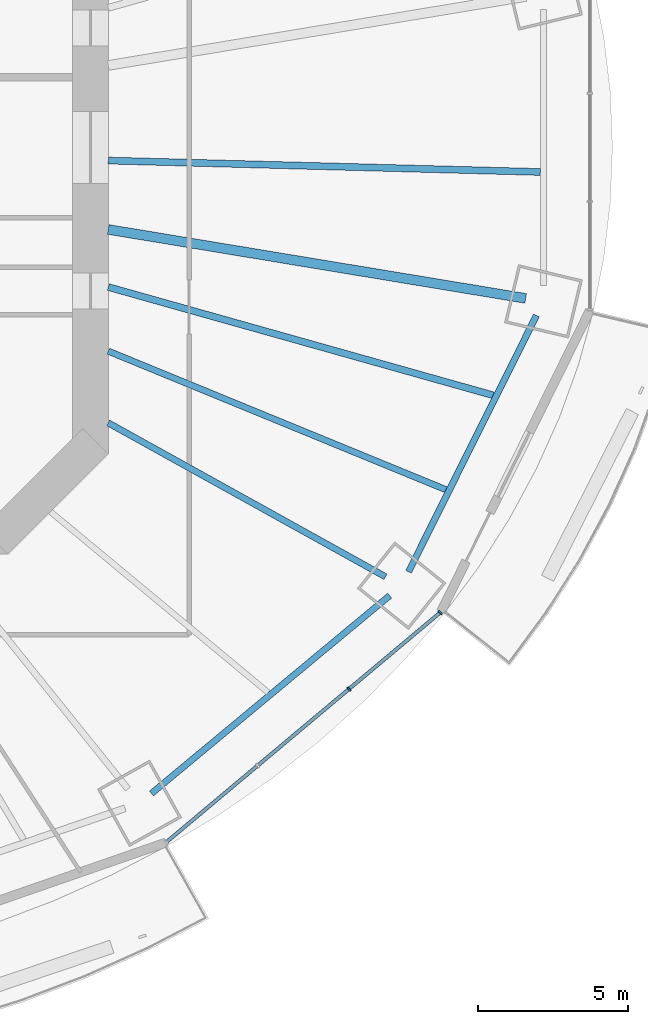
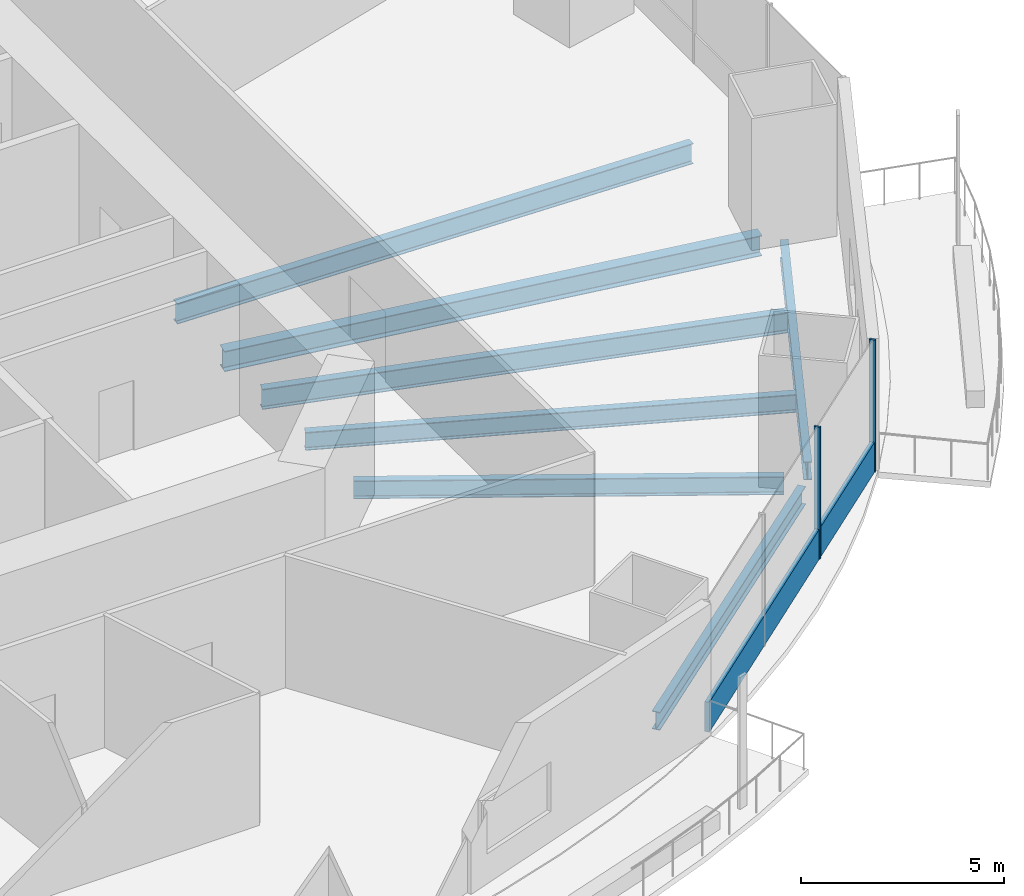
# One storey, part 5 of 20: 7 beams, 3 members, 1 element without a shape of its own.
"""IFC4 building model written with IfcOpenShell, lengths in metres."""

import ifcopenshell
import ifcopenshell.guid

model = None  # the IFC model being written
_history = None  # IfcOwnerHistory: only IFC2X3 demands one
_inside = {}  # id of a spatial element -> (the spatial element, [elements in it])
_under = {}  # id of a project, library or spatial element -> (it, [spatial elements below it])
_declared = {}  # id of a project -> (the project, [libraries it declares])
_typed = {}  # id of a type object -> (the type object, [elements of that type])
_made_of = {}  # id of a material, layer set ... -> (it, [elements and type objects made of it])


def new_model(schema):
    """Start an empty IFC model of exactly this schema.

    Asked for "IFC4X3", IfcOpenShell would pick the latest addendum, in which some entities
    have other attributes; the version numbers below select the first issue.
    IFC2X3 requires an IfcOwnerHistory on every rooted entity: one is made here for all.
    """
    global model, _history
    if schema == "IFC4X3":
        model = ifcopenshell.file(schema_version=(4, 3, 0, 0))
    else:
        model = ifcopenshell.file(schema=schema)
    _inside.clear()
    _under.clear()
    _declared.clear()
    _typed.clear()
    _made_of.clear()
    _history = None
    if model.schema == "IFC2X3":
        org = make("IfcOrganization", Name="unknown")
        user = make(
            "IfcPersonAndOrganization",
            ThePerson=make("IfcPerson", FamilyName="unknown"),
            TheOrganization=org,
        )
        app = make(
            "IfcApplication",
            ApplicationDeveloper=org,
            Version="unknown",
            ApplicationFullName="unknown",
            ApplicationIdentifier="unknown",
        )
        _history = make(
            "IfcOwnerHistory",
            OwningUser=user,
            OwningApplication=app,
            ChangeAction="ADDED",
            CreationDate=0,
        )
    return model


def make(cls, **values):
    """One entity of the class cls with the attributes given. An attribute that is None is left unset."""
    return model.create_entity(
        cls, **{name: value for name, value in values.items() if value is not None}
    )


def rooted(cls, **values):
    """An entity with a GlobalId (a new one), such as an element, a storey or a relation."""
    return make(cls, GlobalId=ifcopenshell.guid.new(), OwnerHistory=_history, **values)


def si_unit(unit_type, name, prefix=None):
    """IfcSIUnit, for example si_unit("LENGTHUNIT", "METRE", prefix="MILLI")."""
    return make("IfcSIUnit", UnitType=unit_type, Prefix=prefix, Name=name)


def assignment(units):
    """IfcUnitAssignment: the units of a project."""
    return None if units is None else make("IfcUnitAssignment", Units=units)


def point(xyz):
    """IfcCartesianPoint."""
    return None if xyz is None else make("IfcCartesianPoint", Coordinates=xyz)


def direction(xyz):
    """IfcDirection."""
    return None if xyz is None else make("IfcDirection", DirectionRatios=xyz)


def frame(location, z_axis=None, x_axis=None):
    """IfcAxis2Placement3D, a coordinate frame: its origin and axes. An axis left out is left unset."""
    return make(
        "IfcAxis2Placement3D",
        Location=point(location),
        Axis=direction(z_axis),
        RefDirection=direction(x_axis),
    )


def frame_2d(location, x_axis=None):
    """IfcAxis2Placement2D, a coordinate frame in the plane: its origin and x axis."""
    return make(
        "IfcAxis2Placement2D", Location=point(location), RefDirection=direction(x_axis)
    )


def origin():
    """The frame at (0, 0, 0) with its axes left unset."""
    return frame((0.0, 0.0, 0.0))


def origin_2d():
    """The frame at (0, 0) in the plane with its x axis left unset."""
    return frame_2d((0.0, 0.0))


def place(relative_to, where):
    """IfcLocalPlacement: puts the frame where relative to a parent placement (None: the world)."""
    return make(
        "IfcLocalPlacement", PlacementRelTo=relative_to, RelativePlacement=where
    )


def context(
    kind, dimensions, precision=None, world=None, true_north=None, identifier=None
):
    """IfcGeometricRepresentationContext, for example the 3D "Model" context."""
    return make(
        "IfcGeometricRepresentationContext",
        ContextIdentifier=identifier,
        ContextType=kind,
        CoordinateSpaceDimension=dimensions,
        Precision=precision,
        WorldCoordinateSystem=world,
        TrueNorth=true_north,
    )


def subcontext(parent, identifier, kind, view, scale=None):
    """IfcGeometricRepresentationSubContext, for example "Body" below "Model"."""
    return make(
        "IfcGeometricRepresentationSubContext",
        ContextIdentifier=identifier,
        ContextType=kind,
        ParentContext=parent,
        TargetScale=scale,
        TargetView=view,
    )


def project(units=None, contexts=None):
    """IfcProject with its units and contexts."""
    return rooted(
        "IfcProject",
        Name="project",
        RepresentationContexts=contexts,
        UnitsInContext=assignment(units),
    )


def spatial(cls, under=None, at=None, **own):
    """A site, building, storey or space (cls), placed at a placement, below another one or the project."""
    s = rooted(cls, ObjectPlacement=at, **own)
    if under is not None:
        _under.setdefault(under.id(), (under, []))[1].append(s)
    return s


def profile(cls, at=None, kind="AREA", **sizes):
    """A parametric profile (cls). Its sizes go by their IFC names, for example OverallWidth=200.0."""
    return make(cls, ProfileType=kind, Position=at, **sizes)


def rectangle(**sizes):
    """IfcRectangleProfileDef."""
    return profile("IfcRectangleProfileDef", **sizes)


def i_section(**sizes):
    """IfcIShapeProfileDef."""
    return profile("IfcIShapeProfileDef", **sizes)


def extrude(swept, where, along, depth):
    """IfcExtrudedAreaSolid: the profile swept, set in the frame where, extruded along a direction by depth."""
    return make(
        "IfcExtrudedAreaSolid",
        SweptArea=swept,
        Position=where,
        ExtrudedDirection=direction(along),
        Depth=depth,
    )


def shape(context_of_items, identifier, shape_type, items):
    """IfcShapeRepresentation: the items that make up one representation, for example the "Body"."""
    return make(
        "IfcShapeRepresentation",
        ContextOfItems=context_of_items,
        RepresentationIdentifier=identifier,
        RepresentationType=shape_type,
        Items=items,
    )


def material(Name=None, Category=None):
    """IfcMaterial."""
    return make("IfcMaterial", Name=Name, Category=Category)


def material_profile(
    of_material, cross_section, Name=None, Category=None, Priority=None
):
    """IfcMaterialProfile: a cross section and its material."""
    return make(
        "IfcMaterialProfile",
        Name=Name,
        Material=of_material,
        Profile=cross_section,
        Priority=Priority,
        Category=Category,
    )


def profile_set(profiles, Name=None, composite=None):
    """IfcMaterialProfileSet."""
    return make(
        "IfcMaterialProfileSet",
        Name=Name,
        MaterialProfiles=profiles,
        CompositeProfile=composite,
    )


def made_of(thing, what):
    """Note that an element or type object is made of a material, layer set ...; save() writes the relation."""
    if what is not None:
        _made_of.setdefault(what.id(), (what, []))[1].append(thing)
    return thing


def type_object(cls, material=None, **own):
    """A type object (cls), such as IfcWallType, which elements share."""
    return made_of(rooted(cls, **own), material)


def element(
    cls,
    number,
    at=None,
    inside=None,
    cuts=None,
    type_object=None,
    material=None,
    context=None,
    identifier="Body",
    shape_type=None,
    held_by="IfcProductDefinitionShape",
    body=None,
    shapes=None,
    **own,
):
    """One element of the class cls, such as IfcWall. Its Tag is "e" and its number.

    at: its placement. inside: the storey or other place that contains it. cuts: it is an
    opening in that element (IfcRelVoidsElement). A single representation is given by context,
    identifier, shape_type and body (its items); several are given by shapes. held_by: the class
    of the entity that holds the representations. save() writes the other relations.
    """
    e = rooted(cls, Tag="e%d" % number, ObjectPlacement=at, **own)
    if body is not None:
        shapes = [shape(context, identifier, shape_type, body)]
    if shapes is not None:
        e.Representation = make(held_by, Representations=shapes)
    if inside is not None:
        _inside.setdefault(inside.id(), (inside, []))[1].append(e)
    if cuts is not None:
        rooted(
            "IfcRelVoidsElement", RelatingBuildingElement=cuts, RelatedOpeningElement=e
        )
    if type_object is not None:
        _typed.setdefault(type_object.id(), (type_object, []))[1].append(e)
    return made_of(e, material)


def aggregate(whole, parts):
    """IfcRelAggregates: a whole, such as a stair, and the parts it consists of."""
    return rooted("IfcRelAggregates", RelatingObject=whole, RelatedObjects=parts)


def save(model, path):
    """Write the relations noted so far, then the file.

    IfcRelAggregates (storeys below a building ...), IfcRelContainedInSpatialStructure (elements
    in a storey), IfcRelDefinesByType, IfcRelAssociatesMaterial and IfcRelDeclares: one each for
    every whole, place, type object, material and project.
    """
    for whole, parts in _under.values():
        aggregate(whole, parts)
    for where, things in _inside.values():
        rooted(
            "IfcRelContainedInSpatialStructure",
            RelatedElements=things,
            RelatingStructure=where,
        )
    for kind, things in _typed.values():
        rooted("IfcRelDefinesByType", RelatedObjects=things, RelatingType=kind)
    for what, things in _made_of.values():
        rooted("IfcRelAssociatesMaterial", RelatedObjects=things, RelatingMaterial=what)
    for by, libraries in _declared.values():
        rooted("IfcRelDeclares", RelatingContext=by, RelatedDefinitions=libraries)
    model.write(path)


model = new_model("IFC4")

# Units and contexts
model_context = context("Model", 3, precision=1e-05, world=origin(), true_north=direction((0.0, 1.0)))
body_context = subcontext(model_context, "Body", "Model", "MODEL_VIEW")
ifc_project = project(units=[si_unit("LENGTHUNIT", "METRE"), si_unit("AREAUNIT", "SQUARE_METRE"), si_unit("VOLUMEUNIT", "CUBIC_METRE"), si_unit("PLANEANGLEUNIT", "RADIAN"), si_unit("MASSUNIT", "GRAM", prefix="KILO")], contexts=[model_context])

# Site, building, storey
site_placement = place(None, origin())
site = spatial("IfcSite", under=ifc_project, at=site_placement, CompositionType="ELEMENT")
building_placement = place(site_placement, origin())
building = spatial("IfcBuilding", under=site, at=building_placement, Name="Marenthal Gate Tower", CompositionType="ELEMENT")
storey_placement = place(building_placement, frame((0.0, 0.0, 132.60009765625)))
storey = spatial("IfcBuildingStorey", under=building, at=storey_placement, Name="L28", CompositionType="ELEMENT", Elevation=132.60009765625)

# Curtain wall, members
ifc_material_1 = material(Name="Aluminium and glass", Category="aluminium")
curtain_wall_type = type_object("IfcCurtainWallType", Name="Curtain wall typical low", PredefinedType="NOTDEFINED", material=ifc_material_1)
curtain_wall_placement = place(storey_placement, origin())
curtain_wall = element("IfcCurtainWall", 1, at=curtain_wall_placement, inside=storey, type_object=curtain_wall_type, Name="Curtain wall L28 bay 14", PredefinedType="NOTDEFINED")
ifc_material_2 = material(Name="Aluminium", Category="aluminium")
ifc_material_profile_1 = material_profile(ifc_material_2, rectangle(XDim=0.159912109375, YDim=0.06005859375, at=origin_2d()), Name="60x160 aluminium mullion")
ifc_profile_set_1 = profile_set([ifc_material_profile_1], Name="Aluminium")
member_type_1 = type_object("IfcMemberType", Name="Mullion 60x160 typical low", PredefinedType="MULLION", material=ifc_profile_set_1)
member_1_placement = place(storey_placement, frame((24.64892578125, -18.109619140625, 0.0), z_axis=(0.0, 0.0, 1.0), x_axis=(-0.642510826857, 0.766276606305, 0.0)))
member_1 = element("IfcMember", 2, at=member_1_placement, type_object=member_type_1, Name="Mullion L28 bay 14.3", PredefinedType="MULLION", context=body_context, shape_type="SweptSolid", body=[
    extrude(rectangle(XDim=0.159912109375, YDim=0.06005859375, at=origin_2d()), origin(), (0.0, 0.0, 1.0), 3.969970703125),
])
member_2_placement = place(storey_placement, frame((27.699951171875, -15.551513671875, 0.0), z_axis=(0.0, 0.0, 1.0), x_axis=(-0.642510826857, 0.766276606305, 0.0)))
member_2 = element("IfcMember", 3, at=member_2_placement, type_object=member_type_1, Name="Mullion L28 bay 14.4", PredefinedType="MULLION", context=body_context, shape_type="SweptSolid", body=[
    extrude(rectangle(XDim=0.159912109375, YDim=0.06005859375, at=origin_2d()), origin(), (0.0, 0.0, 1.0), 3.969970703125),
])
ifc_material_3 = material(Name="Aluminium", Category="aluminium")
ifc_material_profile_2 = material_profile(ifc_material_3, rectangle(XDim=0.1201171875, YDim=0.89990234375, at=origin_2d()), Name="120x900 aluminium transom")
ifc_profile_set_2 = profile_set([ifc_material_profile_2], Name="Aluminium")
member_type_2 = type_object("IfcMemberType", Name="Transom 120x900 typical low", PredefinedType="USERDEFINED", material=ifc_profile_set_2)
member_3_placement = place(storey_placement, frame((18.56982421875, -23.206787109375, 0.449951171875), z_axis=(0.76627636454, 0.642511115194, 0.0), x_axis=(-0.642511115194, 0.76627636454, 0.0)))
member_3 = element("IfcMember", 4, at=member_3_placement, type_object=member_type_2, Name="Transom L28 bay 14", ObjectType="TRANSOM", PredefinedType="USERDEFINED", context=body_context, shape_type="SweptSolid", body=[
    extrude(rectangle(XDim=0.1201171875, YDim=0.89990234375, at=origin_2d()), origin(), (0.0, 0.0, 1.0), 11.885009765625),
])
aggregate(curtain_wall, [member_1, member_2, member_3])

# Beams
ifc_material_4 = material(Name="Steel S355", Category="steel")
ifc_material_profile_3 = material_profile(ifc_material_4, i_section(OverallWidth=0.2119140625, OverallDepth=0.5439453125, WebThickness=0.01318359375, FlangeThickness=0.021240234375, FilletRadius=0.0126953125, at=origin_2d()), Name="W530X123")
ifc_profile_set_3 = profile_set([ifc_material_profile_3], Name="Steel S355")
beam_type_1 = type_object("IfcBeamType", Name="W530X123 beam", PredefinedType="BEAM", material=ifc_profile_set_3)
beam_1_placement = place(storey_placement, frame((25.8701171875, -14.355224609375, -0.4521484375), z_axis=(-0.874396146379, 0.485212715412, 0.0), x_axis=(-0.485212715412, -0.874396146379, 0.0)))
element("IfcBeam", 5, at=beam_1_placement, inside=storey, type_object=beam_type_1, Name="BM-L28-15", PredefinedType="BEAM", context=body_context, shape_type="SweptSolid", body=[
    extrude(i_section(OverallWidth=0.2119140625, OverallDepth=0.5439453125, WebThickness=0.01318359375, FlangeThickness=0.021240234375, FilletRadius=0.0126953125, at=origin_2d()), origin(), (0.0, 0.0, 1.0), 10.6015625),
])
beam_2_placement = place(storey_placement, frame((27.8916015625, -11.444580078125, -0.4521484375), z_axis=(-0.925143041133, 0.379618694803, 0.0), x_axis=(-0.379618694803, -0.925143041133, 0.0)))
element("IfcBeam", 6, at=beam_2_placement, inside=storey, type_object=beam_type_1, Name="BM-L28-38", PredefinedType="BEAM", context=body_context, shape_type="SweptSolid", body=[
    extrude(i_section(OverallWidth=0.2119140625, OverallDepth=0.5439453125, WebThickness=0.01318359375, FlangeThickness=0.021240234375, FilletRadius=0.0126953125, at=origin_2d()), origin(), (0.0, 0.0, 1.0), 12.205078125),
])
beam_3_placement = place(storey_placement, frame((18.044189453125, -21.60107421875, -0.4521484375), z_axis=(0.769308410826, 0.638877585326, 0.0), x_axis=(-0.638877585326, 0.769308410826, 0.0)))
element("IfcBeam", 7, at=beam_3_placement, inside=storey, type_object=beam_type_1, Name="BM-L28-54", PredefinedType="BEAM", context=body_context, shape_type="SweptSolid", body=[
    extrude(i_section(OverallWidth=0.2119140625, OverallDepth=0.5439453125, WebThickness=0.01318359375, FlangeThickness=0.021240234375, FilletRadius=0.0126953125, at=origin_2d()), origin(), (0.0, 0.0, 1.0), 10.35302734375),
])
beam_4_placement = place(storey_placement, frame((26.642578125, -14.185791015625, -0.4521484375), z_axis=(0.446356728124, 0.89485511188, 0.0), x_axis=(-0.89485511188, 0.446356728124, 0.0)))
element("IfcBeam", 8, at=beam_4_placement, inside=storey, type_object=beam_type_1, Name="BM-L28-55", PredefinedType="BEAM", context=body_context, shape_type="SweptSolid", body=[
    extrude(i_section(OverallWidth=0.2119140625, OverallDepth=0.5439453125, WebThickness=0.01318359375, FlangeThickness=0.021240234375, FilletRadius=0.0126953125, at=origin_2d()), origin(), (0.0, 0.0, 1.0), 9.57568359375),
])
ifc_material_5 = material(Name="Steel S355", Category="steel")
ifc_material_profile_4 = material_profile(ifc_material_5, i_section(OverallWidth=0.22900390625, OverallDepth=0.612060546875, WebThickness=0.011962890625, FlangeThickness=0.01953125, FilletRadius=0.0126953125, at=origin_2d()), Name="W610X125")
ifc_profile_set_4 = profile_set([ifc_material_profile_4], Name="Steel S355")
beam_type_2 = type_object("IfcBeamType", Name="W610X125 beam", PredefinedType="BEAM", material=ifc_profile_set_4)
beam_5_placement = place(storey_placement, frame((29.466796875, -8.2861328125, -0.486083984375), z_axis=(-0.962662543646, 0.270704316664, 0.0), x_axis=(-0.270704316664, -0.962662543646, 0.0)))
element("IfcBeam", 9, at=beam_5_placement, inside=storey, type_object=beam_type_2, Name="BM-L28-39", PredefinedType="BEAM", context=body_context, shape_type="SweptSolid", body=[
    extrude(i_section(OverallWidth=0.22900390625, OverallDepth=0.612060546875, WebThickness=0.011962890625, FlangeThickness=0.01953125, FilletRadius=0.0126953125, at=origin_2d()), origin(), (0.0, 0.0, 1.0), 13.36572265625),
])
beam_6_placement = place(storey_placement, frame((31.045654296875, -0.820556640625, -0.486083984375), z_axis=(-0.999650837546, 0.026423531071, 0.0), x_axis=(-0.026423531071, -0.999650837546, 0.0)))
element("IfcBeam", 10, at=beam_6_placement, inside=storey, type_object=beam_type_2, Name="BM-L28-40", PredefinedType="BEAM", context=body_context, shape_type="SweptSolid", body=[
    extrude(i_section(OverallWidth=0.22900390625, OverallDepth=0.612060546875, WebThickness=0.011962890625, FlangeThickness=0.01953125, FilletRadius=0.0126953125, at=origin_2d()), origin(), (0.0, 0.0, 1.0), 14.45068359375),
])
ifc_material_6 = material(Name="Steel S355", Category="steel")
ifc_material_profile_5 = material_profile(ifc_material_6, i_section(OverallWidth=0.324951171875, OverallDepth=0.612060546875, WebThickness=0.0126953125, FlangeThickness=0.01904296875, FilletRadius=0.0126953125, at=origin_2d()), Name="W610X155")
ifc_profile_set_5 = profile_set([ifc_material_profile_5], Name="Steel S355")
beam_type_3 = type_object("IfcBeamType", Name="W610X155 beam", PredefinedType="BEAM", material=ifc_profile_set_5)
beam_7_placement = place(storey_placement, frame((30.556884765625, -5.047607421875, -0.486083984375), z_axis=(-0.986630319442, 0.162974270234, 0.0), x_axis=(-0.162974270234, -0.986630319442, 0.0)))
element("IfcBeam", 11, at=beam_7_placement, inside=storey, type_object=beam_type_3, Name="BM-L28-16", PredefinedType="BEAM", context=body_context, shape_type="SweptSolid", body=[
    extrude(i_section(OverallWidth=0.324951171875, OverallDepth=0.612060546875, WebThickness=0.0126953125, FlangeThickness=0.01904296875, FilletRadius=0.0126953125, at=origin_2d()), origin(), (0.0, 0.0, 1.0), 14.14599609375),
])

save(model, "model.ifc")
